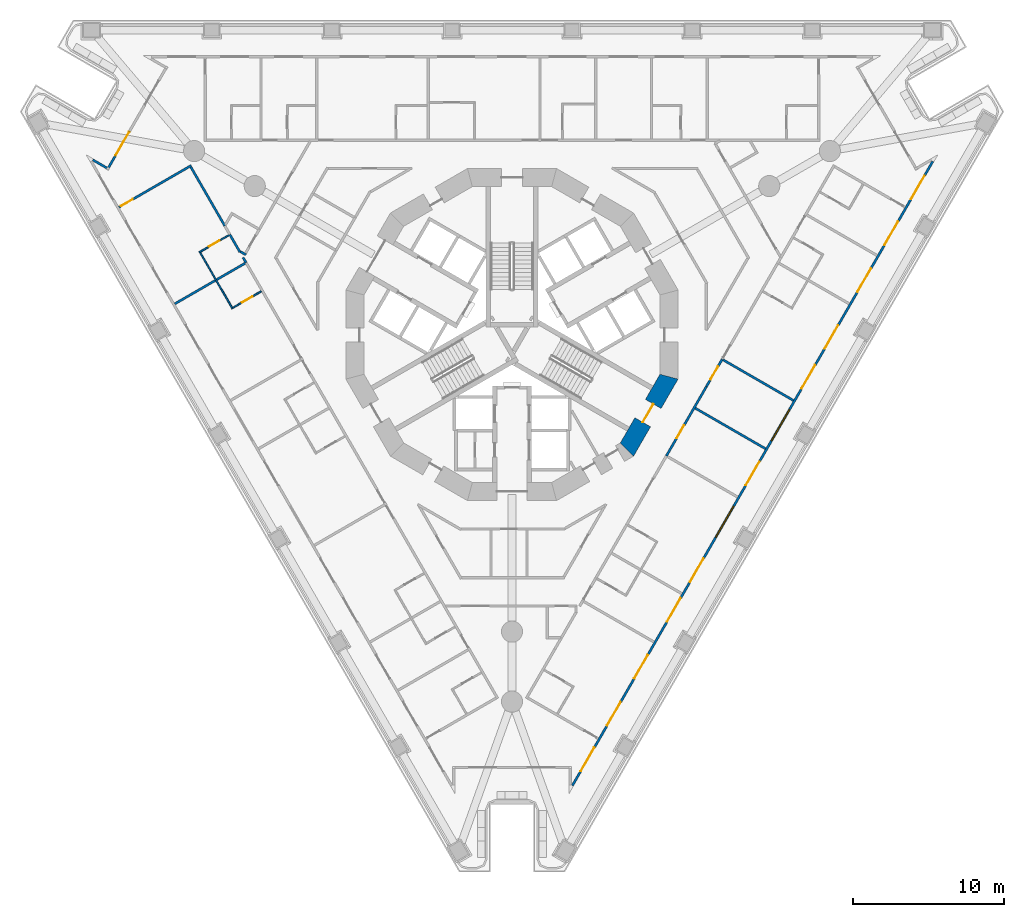
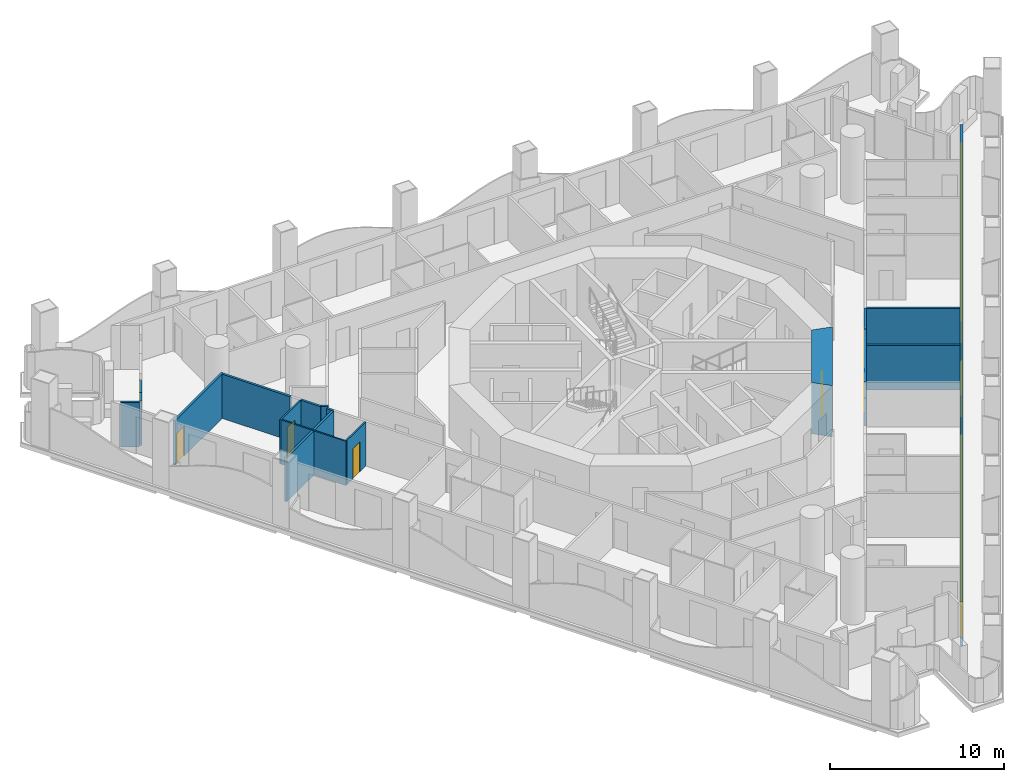
# One storey, part 5 of 19: 18 doors, 18 walls, 2 windows, 20 openings.
"""IFC4 building model written with IfcOpenShell, lengths in metres."""

from ifc_helpers import new_model, si_unit, direction, frame, frame_2d, origin, place, context, subcontext, project, spatial, polyline, rectangle, outline, extrude, material, layer, layer_set, type_object, element, fill, save


model = new_model("IFC4")

# Units and contexts
model_context = context("Model", 3, precision=1e-05, world=origin(), true_north=direction((0.0, 1.0)))
body_context = subcontext(model_context, "Body", "Model", "MODEL_VIEW")
ifc_project = project(units=[si_unit("LENGTHUNIT", "METRE"), si_unit("AREAUNIT", "SQUARE_METRE"), si_unit("VOLUMEUNIT", "CUBIC_METRE"), si_unit("PLANEANGLEUNIT", "RADIAN"), si_unit("MASSUNIT", "GRAM", prefix="KILO")], contexts=[model_context])

# Site, building, storey
site_placement = place(None, origin())
site = spatial("IfcSite", under=ifc_project, at=site_placement, CompositionType="ELEMENT")
building_placement = place(site_placement, origin())
building = spatial("IfcBuilding", under=site, at=building_placement, Name="Trine Commons Tower", CompositionType="ELEMENT")
storey_placement = place(building_placement, frame((0.0, 0.0, 42.300048828125)))
storey = spatial("IfcBuildingStorey", under=building, at=storey_placement, Name="L09", CompositionType="ELEMENT", Elevation=42.300048828125)

# Walls
ifc_material_1 = material(Name="Aluminium-framed insulated wall panel", Category="aluminium")
ifc_layer_1 = layer(ifc_material_1, 0.14990234375)
ifc_layer_set_1 = layer_set([ifc_layer_1], Name="Aluminium-framed insulated wall panel")
wall_type_1 = type_object("IfcWallType", Name="Glazed frame wall 150, EI 60", PredefinedType="SOLIDWALL", material=ifc_layer_set_1)
wall_1_placement = place(storey_placement, frame((52.074462890625, 74.159912109375, 0.0), z_axis=(0.0, 0.0, 1.0), x_axis=(0.865989100438, -0.500062873969, 0.0)))
element("IfcWall", 1, at=wall_1_placement, inside=storey, type_object=wall_type_1, Name="Glazed frame wall R1", PredefinedType="SOLIDWALL", context=body_context, shape_type="SweptSolid", body=[
    extrude(outline(polyline([(0.1494140625, 0.074951171875), (0.1494140625, -0.074951171875), (1.235107421875, -0.074951171875), (1.235107421875, 0.074951171875), (0.1494140625, 0.074951171875)])), origin(), (0.0, 0.0, 1.0), 3.099853515625),
])
wall_2_placement = place(storey_placement, frame((53.19140625, 73.474609375, 0.0), z_axis=(0.0, 0.0, 1.0), x_axis=(0.50002537861, 0.866010750942, 0.0)))
element("IfcWall", 2, at=wall_2_placement, inside=storey, type_object=wall_type_1, Name="Glazed frame wall P1.1", PredefinedType="SOLIDWALL", context=body_context, shape_type="SweptSolid", body=[
    extrude(outline(polyline([(0.110107421875, -0.074951171875), (1.0, -0.074951171875), (1.0, 0.074951171875), (0.110107421875, 0.074951171875), (0.110107421875, -0.074951171875)])), origin(), (0.0, 0.0, 1.0), 3.099853515625),
])

# Wall, opening, door
wall_3_placement = place(storey_placement, frame((53.69140625, 74.340576171875, 0.0), z_axis=(0.0, 0.0, 1.0), x_axis=(0.499967155389, 0.866044365799, 0.0)))
wall_3 = element("IfcWall", 3, at=wall_3_placement, inside=storey, type_object=wall_type_1, Name="Glazed frame wall P1.2", PredefinedType="SOLIDWALL", context=body_context, shape_type="SweptSolid", body=[
    extrude(outline(polyline([(0.0, -0.074951171875), (1.89990234375, -0.074951171875), (1.89990234375, 0.074951171875), (0.0, 0.074951171875), (0.0, -0.074951171875)])), origin(), (0.0, 0.0, 1.0), 2.64990234375),
])
opening_1_placement = place(wall_3_placement, frame((0.050048828125, 0.0, 0.0)))
opening_1 = element("IfcOpeningElement", 4, at=opening_1_placement, cuts=wall_3, Name="Opening BD-1P1-01", PredefinedType="OPENING", context=body_context, shape_type="SweptSolid", body=[
    extrude(rectangle(XDim=1.800048828125, YDim=2.60009765625, at=frame_2d((0.89990234375, 1.300048828125))), frame((0.0, 0.0849609375, 0.0), z_axis=(0.0, -1.0, 0.0), x_axis=(1.0, 0.0, 0.0)), (0.0, 0.0, 1.0), 0.169921875),
])
ifc_material_2 = material(Name="Anodised aluminium frame with double glazing", Category="aluminium")
door_type_1 = type_object("IfcDoorType", Name="Sliding loggia door 1800x2600", OperationType="SLIDING_TO_LEFT", PredefinedType="DOOR", material=ifc_material_2)
door_1_placement = place(opening_1_placement, origin())
door_1 = element("IfcDoor", 5, at=door_1_placement, inside=storey, type_object=door_type_1, Name="Loggia door P1 1", OperationType="SLIDING_TO_LEFT", OverallHeight=2.60009765625, OverallWidth=1.800048828125, PredefinedType="DOOR", context=body_context, shape_type="SweptSolid", body=[
    extrude(rectangle(XDim=1.800048828125, YDim=2.60009765625, at=frame_2d((0.89990234375, 1.300048828125))), frame((0.0, 0.02490234375, 0.0), z_axis=(0.0, -1.0, 0.0), x_axis=(1.0, 0.0, 0.0)), (0.0, 0.0, 1.0), 0.050048828125),
])
fill(opening_1, door_1)

# Wall, openings, windows, doors
wall_4_placement = place(storey_placement, frame((107.973388671875, 74.112060546875, 0.0), z_axis=(0.0, 0.0, 1.0), x_axis=(-0.499998600735, -0.866026211649, 0.0)))
wall_4 = element("IfcWall", 6, at=wall_4_placement, inside=storey, type_object=wall_type_1, Name="Glazed frame wall F2", PredefinedType="SOLIDWALL", context=body_context, shape_type="SweptSolid", body=[
    extrude(outline(polyline([(0.1494140625, 0.074951171875), (0.1494140625, -0.074951171875), (47.93701171875, -0.074951171875), (47.93701171875, 0.074951171875), (0.1494140625, 0.074951171875)])), origin(), (0.0, 0.0, 1.0), 3.099853515625),
])
opening_2_placement = place(wall_4_placement, frame((1.24951171875, 0.0, 0.0)))
opening_2 = element("IfcOpeningElement", 7, at=opening_2_placement, cuts=wall_4, Name="Opening BD-1F2-01", PredefinedType="OPENING", context=body_context, shape_type="SweptSolid", body=[
    extrude(rectangle(XDim=1.800048828125, YDim=2.60009765625, at=frame_2d((0.89990234375, 1.300048828125))), frame((0.0, 0.0849609375, 0.0), z_axis=(0.0, -1.0, 0.0), x_axis=(1.0, 0.0, 0.0)), (0.0, 0.0, 1.0), 0.169921875),
])
opening_3_placement = place(wall_4_placement, frame((4.748291015625, 0.0, 0.0)))
opening_3 = element("IfcOpeningElement", 8, at=opening_3_placement, cuts=wall_4, Name="Opening BD-1F2-02", PredefinedType="OPENING", context=body_context, shape_type="SweptSolid", body=[
    extrude(rectangle(XDim=1.800048828125, YDim=2.60009765625, at=frame_2d((0.89990234375, 1.300048828125))), frame((0.0, 0.0849609375, 0.0), z_axis=(0.0, -1.0, 0.0), x_axis=(1.0, 0.0, 0.0)), (0.0, 0.0, 1.0), 0.169921875),
])
opening_4_placement = place(wall_4_placement, frame((8.347412109375, 0.0, 0.0)))
opening_4 = element("IfcOpeningElement", 9, at=opening_4_placement, cuts=wall_4, Name="Opening BD-1F2-03", PredefinedType="OPENING", context=body_context, shape_type="SweptSolid", body=[
    extrude(rectangle(XDim=1.800048828125, YDim=2.60009765625, at=frame_2d((0.89990234375, 1.300048828125))), frame((0.0, 0.0849609375, 0.0), z_axis=(0.0, -1.0, 0.0), x_axis=(1.0, 0.0, 0.0)), (0.0, 0.0, 1.0), 0.169921875),
])
opening_5_placement = place(wall_4_placement, frame((12.69580078125, 0.0, 0.0)))
opening_5 = element("IfcOpeningElement", 10, at=opening_5_placement, cuts=wall_4, Name="Opening BD-1F2-04", PredefinedType="OPENING", context=body_context, shape_type="SweptSolid", body=[
    extrude(rectangle(XDim=1.800048828125, YDim=2.60009765625, at=frame_2d((0.89990234375, 1.300048828125))), frame((0.0, 0.0849609375, 0.0), z_axis=(0.0, -1.0, 0.0), x_axis=(1.0, 0.0, 0.0)), (0.0, 0.0, 1.0), 0.169921875),
])
opening_6_placement = place(wall_4_placement, frame((15.7451171875, 0.0, 0.0)))
opening_6 = element("IfcOpeningElement", 11, at=opening_6_placement, cuts=wall_4, Name="Opening BD-1F2-05", PredefinedType="OPENING", context=body_context, shape_type="SweptSolid", body=[
    extrude(rectangle(XDim=1.800048828125, YDim=2.60009765625, at=frame_2d((0.89990234375, 1.300048828125))), frame((0.0, 0.0849609375, 0.0), z_axis=(0.0, -1.0, 0.0), x_axis=(1.0, 0.0, 0.0)), (0.0, 0.0, 1.0), 0.169921875),
])
opening_7_placement = place(wall_4_placement, frame((19.14404296875, 0.0, 0.14990234375)))
opening_7 = element("IfcOpeningElement", 12, at=opening_7_placement, cuts=wall_4, Name="Opening W-1F2-06", PredefinedType="OPENING", context=body_context, shape_type="SweptSolid", body=[
    extrude(rectangle(XDim=2.39990234375, YDim=2.449951171875, at=frame_2d((1.199951171875, 1.22509765625))), frame((0.0, 0.0849609375, 0.0), z_axis=(0.0, -1.0, 0.0), x_axis=(1.0, 0.0, 0.0)), (0.0, 0.0, 1.0), 0.169921875),
])
opening_8_placement = place(wall_4_placement, frame((23.142822265625, 0.0, 0.0)))
opening_8 = element("IfcOpeningElement", 13, at=opening_8_placement, cuts=wall_4, Name="Opening BD-1F2-07", PredefinedType="OPENING", context=body_context, shape_type="SweptSolid", body=[
    extrude(rectangle(XDim=1.800048828125, YDim=2.60009765625, at=frame_2d((0.89990234375, 1.300048828125))), frame((0.0, 0.0849609375, 0.0), z_axis=(0.0, -1.0, 0.0), x_axis=(1.0, 0.0, 0.0)), (0.0, 0.0, 1.0), 0.169921875),
])
opening_9_placement = place(wall_4_placement, frame((26.541748046875, 0.0, 0.14990234375)))
opening_9 = element("IfcOpeningElement", 14, at=opening_9_placement, cuts=wall_4, Name="Opening W-1F2-08", PredefinedType="OPENING", context=body_context, shape_type="SweptSolid", body=[
    extrude(rectangle(XDim=2.39990234375, YDim=2.449951171875, at=frame_2d((1.199951171875, 1.22509765625))), frame((0.0, 0.0849609375, 0.0), z_axis=(0.0, -1.0, 0.0), x_axis=(1.0, 0.0, 0.0)), (0.0, 0.0, 1.0), 0.169921875),
])
opening_10_placement = place(wall_4_placement, frame((30.54052734375, 0.0, 0.0)))
opening_10 = element("IfcOpeningElement", 15, at=opening_10_placement, cuts=wall_4, Name="Opening BD-1F2-09", PredefinedType="OPENING", context=body_context, shape_type="SweptSolid", body=[
    extrude(rectangle(XDim=1.800048828125, YDim=2.60009765625, at=frame_2d((0.89990234375, 1.300048828125))), frame((0.0, 0.0849609375, 0.0), z_axis=(0.0, -1.0, 0.0), x_axis=(1.0, 0.0, 0.0)), (0.0, 0.0, 1.0), 0.169921875),
])
opening_11_placement = place(wall_4_placement, frame((33.590087890625, 0.0, 0.0)))
opening_11 = element("IfcOpeningElement", 16, at=opening_11_placement, cuts=wall_4, Name="Opening BD-1F2-10", PredefinedType="OPENING", context=body_context, shape_type="SweptSolid", body=[
    extrude(rectangle(XDim=1.800048828125, YDim=2.60009765625, at=frame_2d((0.89990234375, 1.300048828125))), frame((0.0, 0.0849609375, 0.0), z_axis=(0.0, -1.0, 0.0), x_axis=(1.0, 0.0, 0.0)), (0.0, 0.0, 1.0), 0.169921875),
])
opening_12_placement = place(wall_4_placement, frame((37.9384765625, 0.0, 0.0)))
opening_12 = element("IfcOpeningElement", 17, at=opening_12_placement, cuts=wall_4, Name="Opening BD-1F2-11", PredefinedType="OPENING", context=body_context, shape_type="SweptSolid", body=[
    extrude(rectangle(XDim=1.800048828125, YDim=2.60009765625, at=frame_2d((0.89990234375, 1.300048828125))), frame((0.0, 0.0849609375, 0.0), z_axis=(0.0, -1.0, 0.0), x_axis=(1.0, 0.0, 0.0)), (0.0, 0.0, 1.0), 0.169921875),
])
opening_13_placement = place(wall_4_placement, frame((41.537353515625, 0.0, 0.0)))
opening_13 = element("IfcOpeningElement", 18, at=opening_13_placement, cuts=wall_4, Name="Opening BD-1F2-12", PredefinedType="OPENING", context=body_context, shape_type="SweptSolid", body=[
    extrude(rectangle(XDim=1.800048828125, YDim=2.60009765625, at=frame_2d((0.89990234375, 1.300048828125))), frame((0.0, 0.0849609375, 0.0), z_axis=(0.0, -1.0, 0.0), x_axis=(1.0, 0.0, 0.0)), (0.0, 0.0, 1.0), 0.169921875),
])
opening_14_placement = place(wall_4_placement, frame((45.036376953125, 0.0, 0.0)))
opening_14 = element("IfcOpeningElement", 19, at=opening_14_placement, cuts=wall_4, Name="Opening BD-1F2-13", PredefinedType="OPENING", context=body_context, shape_type="SweptSolid", body=[
    extrude(rectangle(XDim=1.800048828125, YDim=2.60009765625, at=frame_2d((0.89990234375, 1.300048828125))), frame((0.0, 0.0849609375, 0.0), z_axis=(0.0, -1.0, 0.0), x_axis=(1.0, 0.0, 0.0)), (0.0, 0.0, 1.0), 0.169921875),
])
window_type = type_object("IfcWindowType", Name="Fixed window 2400x2450", PartitioningType="SINGLE_PANEL", PredefinedType="WINDOW", material=ifc_material_2)
window_1_placement = place(opening_7_placement, origin())
window_1 = element("IfcWindow", 20, at=window_1_placement, inside=storey, type_object=window_type, Name="Window F2 6", OverallHeight=2.449951171875, OverallWidth=2.39990234375, PartitioningType="SINGLE_PANEL", PredefinedType="WINDOW", context=body_context, shape_type="SweptSolid", body=[
    extrude(rectangle(XDim=2.39990234375, YDim=2.449951171875, at=frame_2d((1.199951171875, 1.22509765625))), frame((0.0, 0.030029296875, 0.0), z_axis=(0.0, -1.0, 0.0), x_axis=(1.0, 0.0, 0.0)), (0.0, 0.0, 1.0), 0.06005859375),
])
fill(opening_7, window_1)
window_2_placement = place(opening_9_placement, origin())
window_2 = element("IfcWindow", 21, at=window_2_placement, inside=storey, type_object=window_type, Name="Window F2 8", OverallHeight=2.449951171875, OverallWidth=2.39990234375, PartitioningType="SINGLE_PANEL", PredefinedType="WINDOW", context=body_context, shape_type="SweptSolid", body=[
    extrude(rectangle(XDim=2.39990234375, YDim=2.449951171875, at=frame_2d((1.199951171875, 1.22509765625))), frame((0.0, 0.030029296875, 0.0), z_axis=(0.0, -1.0, 0.0), x_axis=(1.0, 0.0, 0.0)), (0.0, 0.0, 1.0), 0.06005859375),
])
fill(opening_9, window_2)
door_2_placement = place(opening_2_placement, origin())
door_2 = element("IfcDoor", 22, at=door_2_placement, inside=storey, type_object=door_type_1, Name="Loggia door F2 1", OperationType="SLIDING_TO_LEFT", OverallHeight=2.60009765625, OverallWidth=1.800048828125, PredefinedType="DOOR", context=body_context, shape_type="SweptSolid", body=[
    extrude(rectangle(XDim=1.800048828125, YDim=2.60009765625, at=frame_2d((0.89990234375, 1.300048828125))), frame((0.0, 0.02490234375, 0.0), z_axis=(0.0, -1.0, 0.0), x_axis=(1.0, 0.0, 0.0)), (0.0, 0.0, 1.0), 0.050048828125),
])
fill(opening_2, door_2)
door_3_placement = place(opening_3_placement, origin())
door_3 = element("IfcDoor", 23, at=door_3_placement, inside=storey, type_object=door_type_1, Name="Loggia door F2 2", OperationType="SLIDING_TO_LEFT", OverallHeight=2.60009765625, OverallWidth=1.800048828125, PredefinedType="DOOR", context=body_context, shape_type="SweptSolid", body=[
    extrude(rectangle(XDim=1.800048828125, YDim=2.60009765625, at=frame_2d((0.89990234375, 1.300048828125))), frame((0.0, 0.02490234375, 0.0), z_axis=(0.0, -1.0, 0.0), x_axis=(1.0, 0.0, 0.0)), (0.0, 0.0, 1.0), 0.050048828125),
])
fill(opening_3, door_3)
door_4_placement = place(opening_4_placement, origin())
door_4 = element("IfcDoor", 24, at=door_4_placement, inside=storey, type_object=door_type_1, Name="Loggia door F2 3", OperationType="SLIDING_TO_LEFT", OverallHeight=2.60009765625, OverallWidth=1.800048828125, PredefinedType="DOOR", context=body_context, shape_type="SweptSolid", body=[
    extrude(rectangle(XDim=1.800048828125, YDim=2.60009765625, at=frame_2d((0.89990234375, 1.300048828125))), frame((0.0, 0.02490234375, 0.0), z_axis=(0.0, -1.0, 0.0), x_axis=(1.0, 0.0, 0.0)), (0.0, 0.0, 1.0), 0.050048828125),
])
fill(opening_4, door_4)
door_5_placement = place(opening_5_placement, origin())
door_5 = element("IfcDoor", 25, at=door_5_placement, inside=storey, type_object=door_type_1, Name="Loggia door F2 4", OperationType="SLIDING_TO_LEFT", OverallHeight=2.60009765625, OverallWidth=1.800048828125, PredefinedType="DOOR", context=body_context, shape_type="SweptSolid", body=[
    extrude(rectangle(XDim=1.800048828125, YDim=2.60009765625, at=frame_2d((0.89990234375, 1.300048828125))), frame((0.0, 0.02490234375, 0.0), z_axis=(0.0, -1.0, 0.0), x_axis=(1.0, 0.0, 0.0)), (0.0, 0.0, 1.0), 0.050048828125),
])
fill(opening_5, door_5)
door_6_placement = place(opening_6_placement, origin())
door_6 = element("IfcDoor", 26, at=door_6_placement, inside=storey, type_object=door_type_1, Name="Loggia door F2 5", OperationType="SLIDING_TO_LEFT", OverallHeight=2.60009765625, OverallWidth=1.800048828125, PredefinedType="DOOR", context=body_context, shape_type="SweptSolid", body=[
    extrude(rectangle(XDim=1.800048828125, YDim=2.60009765625, at=frame_2d((0.89990234375, 1.300048828125))), frame((0.0, 0.02490234375, 0.0), z_axis=(0.0, -1.0, 0.0), x_axis=(1.0, 0.0, 0.0)), (0.0, 0.0, 1.0), 0.050048828125),
])
fill(opening_6, door_6)
door_7_placement = place(opening_8_placement, origin())
door_7 = element("IfcDoor", 27, at=door_7_placement, inside=storey, type_object=door_type_1, Name="Loggia door F2 7", OperationType="SLIDING_TO_LEFT", OverallHeight=2.60009765625, OverallWidth=1.800048828125, PredefinedType="DOOR", context=body_context, shape_type="SweptSolid", body=[
    extrude(rectangle(XDim=1.800048828125, YDim=2.60009765625, at=frame_2d((0.89990234375, 1.300048828125))), frame((0.0, 0.02490234375, 0.0), z_axis=(0.0, -1.0, 0.0), x_axis=(1.0, 0.0, 0.0)), (0.0, 0.0, 1.0), 0.050048828125),
])
fill(opening_8, door_7)
door_8_placement = place(opening_10_placement, origin())
door_8 = element("IfcDoor", 28, at=door_8_placement, inside=storey, type_object=door_type_1, Name="Loggia door F2 9", OperationType="SLIDING_TO_LEFT", OverallHeight=2.60009765625, OverallWidth=1.800048828125, PredefinedType="DOOR", context=body_context, shape_type="SweptSolid", body=[
    extrude(rectangle(XDim=1.800048828125, YDim=2.60009765625, at=frame_2d((0.89990234375, 1.300048828125))), frame((0.0, 0.02490234375, 0.0), z_axis=(0.0, -1.0, 0.0), x_axis=(1.0, 0.0, 0.0)), (0.0, 0.0, 1.0), 0.050048828125),
])
fill(opening_10, door_8)
door_9_placement = place(opening_11_placement, origin())
door_9 = element("IfcDoor", 29, at=door_9_placement, inside=storey, type_object=door_type_1, Name="Loggia door F2 10", OperationType="SLIDING_TO_LEFT", OverallHeight=2.60009765625, OverallWidth=1.800048828125, PredefinedType="DOOR", context=body_context, shape_type="SweptSolid", body=[
    extrude(rectangle(XDim=1.800048828125, YDim=2.60009765625, at=frame_2d((0.89990234375, 1.300048828125))), frame((0.0, 0.02490234375, 0.0), z_axis=(0.0, -1.0, 0.0), x_axis=(1.0, 0.0, 0.0)), (0.0, 0.0, 1.0), 0.050048828125),
])
fill(opening_11, door_9)
door_10_placement = place(opening_12_placement, origin())
door_10 = element("IfcDoor", 30, at=door_10_placement, inside=storey, type_object=door_type_1, Name="Loggia door F2 11", OperationType="SLIDING_TO_LEFT", OverallHeight=2.60009765625, OverallWidth=1.800048828125, PredefinedType="DOOR", context=body_context, shape_type="SweptSolid", body=[
    extrude(rectangle(XDim=1.800048828125, YDim=2.60009765625, at=frame_2d((0.89990234375, 1.300048828125))), frame((0.0, 0.02490234375, 0.0), z_axis=(0.0, -1.0, 0.0), x_axis=(1.0, 0.0, 0.0)), (0.0, 0.0, 1.0), 0.050048828125),
])
fill(opening_12, door_10)
door_11_placement = place(opening_13_placement, origin())
door_11 = element("IfcDoor", 31, at=door_11_placement, inside=storey, type_object=door_type_1, Name="Loggia door F2 12", OperationType="SLIDING_TO_LEFT", OverallHeight=2.60009765625, OverallWidth=1.800048828125, PredefinedType="DOOR", context=body_context, shape_type="SweptSolid", body=[
    extrude(rectangle(XDim=1.800048828125, YDim=2.60009765625, at=frame_2d((0.89990234375, 1.300048828125))), frame((0.0, 0.02490234375, 0.0), z_axis=(0.0, -1.0, 0.0), x_axis=(1.0, 0.0, 0.0)), (0.0, 0.0, 1.0), 0.050048828125),
])
fill(opening_13, door_11)
door_12_placement = place(opening_14_placement, origin())
door_12 = element("IfcDoor", 32, at=door_12_placement, inside=storey, type_object=door_type_1, Name="Loggia door F2 13", OperationType="SLIDING_TO_LEFT", OverallHeight=2.60009765625, OverallWidth=1.800048828125, PredefinedType="DOOR", context=body_context, shape_type="SweptSolid", body=[
    extrude(rectangle(XDim=1.800048828125, YDim=2.60009765625, at=frame_2d((0.89990234375, 1.300048828125))), frame((0.0, 0.02490234375, 0.0), z_axis=(0.0, -1.0, 0.0), x_axis=(1.0, 0.0, 0.0)), (0.0, 0.0, 1.0), 0.050048828125),
])
fill(opening_14, door_12)

# Wall, opening, door
ifc_material_3 = material(Name="Concrete C80/95", Category="concrete")
ifc_layer_2 = layer(ifc_material_3, 1.199951171875)
ifc_layer_set_2 = layer_set([ifc_layer_2], Name="Concrete C80/95")
wall_type_2 = type_object("IfcWallType", Name="RC shear wall 1200 mm, C80/95", PredefinedType="SHEAR", material=ifc_layer_set_2)
wall_5_placement = place(storey_placement, frame((87.54150390625, 54.739013671875, 0.0), z_axis=(0.0, 0.0, 1.0), x_axis=(0.499979111662, 0.866037463336, 0.0)))
wall_5 = element("IfcWall", 33, at=wall_5_placement, inside=storey, type_object=wall_type_2, Name="Core wall CWA-12 L09", PredefinedType="SHEAR", context=body_context, shape_type="SweptSolid", body=[
    extrude(outline(polyline([(0.0, -0.60009765625), (5.901123046875, -0.60009765625), (5.57958984375, 0.60009765625), (0.321533203125, 0.60009765625), (0.0, -0.60009765625)])), origin(), (0.0, 0.0, 1.0), 3.599853515625),
])
opening_15_placement = place(wall_5_placement, frame((2.25048828125, 0.0, 0.0)))
opening_15 = element("IfcOpeningElement", 34, at=opening_15_placement, cuts=wall_5, Name="Opening K04.03", PredefinedType="OPENING", context=body_context, shape_type="SweptSolid", body=[
    extrude(rectangle(XDim=1.39990234375, YDim=2.10009765625, at=frame_2d((0.699951171875, 1.050048828125))), frame((0.0, 0.60986328125, 0.0), z_axis=(0.0, -1.0, 0.0), x_axis=(1.0, 0.0, 0.0)), (0.0, 0.0, 1.0), 1.219970703125),
])
ifc_material_4 = material(Name="Steel door leaves, fire-rated", Category="steel")
door_type_2 = type_object("IfcDoorType", Name="Stair door, double leaf 1400 x 2100, FD90", OperationType="DOUBLE_DOOR_SINGLE_SWING", PredefinedType="DOOR", material=ifc_material_4)
door_13_placement = place(opening_15_placement, origin())
door_13 = element("IfcDoor", 35, at=door_13_placement, inside=storey, type_object=door_type_2, Name="Stair door to Exit stair ST3A L09", OperationType="DOUBLE_DOOR_SINGLE_SWING", OverallHeight=2.10009765625, OverallWidth=1.39990234375, PredefinedType="DOOR", context=body_context, shape_type="SweptSolid", body=[
    extrude(rectangle(XDim=1.39990234375, YDim=2.10009765625, at=frame_2d((0.699951171875, 1.050048828125))), frame((0.0, 0.02490234375, 0.0), z_axis=(0.0, -1.0, 0.0), x_axis=(1.0, 0.0, 0.0)), (0.0, 0.0, 1.0), 0.050048828125),
])
fill(opening_15, door_13)

ifc_material_5 = material(Name="Gypsum plasterboard on steel stud", Category="steel")
ifc_layer_3 = layer(ifc_material_5, 0.14990234375)
ifc_layer_set_3 = layer_set([ifc_layer_3], Name="Gypsum plasterboard on steel stud")
wall_type_3 = type_object("IfcWallType", Name="Unit and corridor wall 150 mm, EI 60", PredefinedType="PARTITIONING", material=ifc_layer_set_3)
wall_6_placement = place(storey_placement, frame((53.941650390625, 70.946044921875, 0.0), z_axis=(0.0, 0.0, 1.0), x_axis=(0.866015831111, 0.500016579991, 0.0)))
wall_6 = element("IfcWall", 36, at=wall_6_placement, inside=storey, type_object=wall_type_3, Name="Partition 001", PredefinedType="PARTITIONING", context=body_context, shape_type="SweptSolid", body=[
    extrude(rectangle(XDim=5.532470703125, YDim=0.14990234375, at=frame_2d((2.76611328125, 0.0))), origin(), (0.0, 0.0, 1.0), 3.099853515625),
])
opening_16_placement = place(wall_6_placement, frame((0.14990234375, 0.0, 0.0)))
opening_16 = element("IfcOpeningElement", 37, at=opening_16_placement, cuts=wall_6, Name="Opening D-1B29", PredefinedType="OPENING", context=body_context, shape_type="SweptSolid", body=[
    extrude(rectangle(XDim=0.89990234375, YDim=2.10009765625, at=frame_2d((0.449951171875, 1.050048828125))), frame((0.0, 0.0849609375, 0.0), z_axis=(0.0, -1.0, 0.0), x_axis=(1.0, 0.0, 0.0)), (0.0, 0.0, 1.0), 0.169921875),
])
ifc_material_6 = material(Name="Timber fire door set", Category="wood")
door_type_3 = type_object("IfcDoorType", Name="Bedroom door 900 x 2100, FD30S", OperationType="NOTDEFINED", PredefinedType="DOOR", material=ifc_material_6)
door_14_placement = place(opening_16_placement, frame((0.89990234375, 0.0, 0.0), z_axis=(0.0, 0.0, 1.0), x_axis=(-1.0, 0.0, 0.0)))
door_14 = element("IfcDoor", 38, at=door_14_placement, inside=storey, type_object=door_type_3, Name="Door D-1B29", OperationType="SINGLE_SWING_RIGHT", OverallHeight=2.10009765625, OverallWidth=0.89990234375, PredefinedType="DOOR", context=body_context, shape_type="SweptSolid", body=[
    extrude(rectangle(XDim=0.89990234375, YDim=2.10009765625, at=frame_2d((0.449951171875, 1.050048828125))), frame((0.0, 0.02490234375, 0.0), z_axis=(0.0, -1.0, 0.0), x_axis=(1.0, 0.0, 0.0)), (0.0, 0.0, 1.0), 0.050048828125),
])
fill(opening_16, door_14)

# Walls
wall_7_placement = place(storey_placement, frame((57.640625, 64.5390625, 0.0), z_axis=(0.0, 0.0, 1.0), x_axis=(0.866012611495, 0.500022156241, 0.0)))
element("IfcWall", 39, at=wall_7_placement, inside=storey, type_object=wall_type_3, Name="Partition 002", PredefinedType="PARTITIONING", context=body_context, shape_type="SweptSolid", body=[
    extrude(rectangle(XDim=5.382568359375, YDim=0.14990234375, at=frame_2d((2.69140625, 0.0))), origin(), (0.0, 0.0, 1.0), 3.099853515625),
])
wall_8_placement = place(storey_placement, frame((58.70556640625, 73.610107421875, 0.0), z_axis=(0.0, 0.0, 1.0), x_axis=(0.49978972914, -0.866146769691, 0.0)))
element("IfcWall", 40, at=wall_8_placement, inside=storey, type_object=wall_type_3, Name="Partition 003", PredefinedType="PARTITIONING", context=body_context, shape_type="SweptSolid", body=[
    extrude(rectangle(XDim=4.5029296875, YDim=0.14990234375, at=frame_2d((2.25146484375, 0.0))), origin(), (0.0, 0.0, 1.0), 3.099853515625),
])
wall_9_placement = place(storey_placement, frame((61.2900390625, 69.133056640625, 0.0), z_axis=(0.0, 0.0, 1.0), x_axis=(0.500118880353, -0.8659567573, 0.0)))
element("IfcWall", 41, at=wall_9_placement, inside=storey, type_object=wall_type_3, Name="Partition 010", PredefinedType="PARTITIONING", context=body_context, shape_type="SweptSolid", body=[
    extrude(rectangle(XDim=1.332763671875, YDim=0.14990234375, at=frame_2d((0.66650390625, 0.0))), origin(), (0.0, 0.0, 1.0), 3.099853515625),
])
wall_10_placement = place(storey_placement, frame((61.98388671875, 68.006591796875, 0.0), z_axis=(0.0, 0.0, 1.0), x_axis=(0.866467188461, -0.499234024602, 0.0)))
element("IfcWall", 42, at=wall_10_placement, inside=storey, type_object=wall_type_3, Name="Partition 016", PredefinedType="PARTITIONING", context=body_context, shape_type="SweptSolid", body=[
    extrude(rectangle(XDim=0.432861328125, YDim=0.14990234375, at=frame_2d((0.21630859375, 0.0))), origin(), (0.0, 0.0, 1.0), 3.099853515625),
])
wall_11_placement = place(storey_placement, frame((62.1689453125, 67.611083984375, 0.0), z_axis=(0.0, 0.0, 1.0), x_axis=(0.500603037456, -0.865676959893, 0.0)))
element("IfcWall", 43, at=wall_11_placement, inside=storey, type_object=wall_type_3, Name="Partition 017", PredefinedType="PARTITIONING", context=body_context, shape_type="SweptSolid", body=[
    extrude(rectangle(XDim=0.39990234375, YDim=0.14990234375, at=frame_2d((0.199951171875, 0.0))), origin(), (0.0, 0.0, 1.0), 3.099853515625),
])

# Wall, opening, door
wall_12_placement = place(storey_placement, frame((90.23388671875, 54.451904296875, 0.0), z_axis=(0.0, 0.0, 1.0), x_axis=(0.500003907497, 0.866023147778, 0.0)))
wall_12 = element("IfcWall", 44, at=wall_12_placement, inside=storey, type_object=wall_type_3, Name="Partition 095", PredefinedType="PARTITIONING", context=body_context, shape_type="SweptSolid", body=[
    extrude(rectangle(XDim=5.30615234375, YDim=0.14990234375, at=frame_2d((2.653076171875, 0.0))), origin(), (0.0, 0.0, 1.0), 3.099853515625),
])
opening_17_placement = place(wall_12_placement, frame((1.353271484375, 0.0, 0.0)))
opening_17 = element("IfcOpeningElement", 45, at=opening_17_placement, cuts=wall_12, Name="Opening D-1B19", PredefinedType="OPENING", context=body_context, shape_type="SweptSolid", body=[
    extrude(rectangle(XDim=1.0, YDim=2.10009765625, at=frame_2d((0.5, 1.050048828125))), frame((0.0, 0.0849609375, 0.0), z_axis=(0.0, -1.0, 0.0), x_axis=(1.0, 0.0, 0.0)), (0.0, 0.0, 1.0), 0.169921875),
])
ifc_material_7 = material(Name="Painted timber", Category="wood")
door_type_4 = type_object("IfcDoorType", Name="Amenity room door 1000 x 2100, NOT RATED", OperationType="NOTDEFINED", PredefinedType="DOOR", material=ifc_material_7)
door_15_placement = place(opening_17_placement, frame((1.0, 0.0, 0.0), z_axis=(0.0, 0.0, 1.0), x_axis=(-1.0, 0.0, 0.0)))
door_15 = element("IfcDoor", 46, at=door_15_placement, inside=storey, type_object=door_type_4, Name="Door D-1B19", OperationType="SINGLE_SWING_RIGHT", OverallHeight=2.10009765625, OverallWidth=1.0, PredefinedType="DOOR", context=body_context, shape_type="SweptSolid", body=[
    extrude(rectangle(XDim=1.0, YDim=2.10009765625, at=frame_2d((0.5, 1.050048828125))), frame((0.0, 0.02490234375, 0.0), z_axis=(0.0, -1.0, 0.0), x_axis=(1.0, 0.0, 0.0)), (0.0, 0.0, 1.0), 0.050048828125),
])
fill(opening_17, door_15)

# Wall
wall_13_placement = place(storey_placement, frame((92.14990234375, 57.62158203125, 0.0), z_axis=(0.0, 0.0, 1.0), x_axis=(0.865992970276, -0.500056172277, 0.0)))
element("IfcWall", 47, at=wall_13_placement, inside=storey, type_object=wall_type_3, Name="Partition 098", PredefinedType="PARTITIONING", context=body_context, shape_type="SweptSolid", body=[
    extrude(rectangle(XDim=5.3828125, YDim=0.14990234375, at=frame_2d((2.69140625, 0.0))), origin(), (0.0, 0.0, 1.0), 3.099853515625),
])

# Wall, opening, door
wall_14_placement = place(storey_placement, frame((92.886962890625, 59.047119140625, 0.0), z_axis=(0.0, 0.0, 1.0), x_axis=(0.499829862285, 0.866123610559, 0.0)))
wall_14 = element("IfcWall", 48, at=wall_14_placement, inside=storey, type_object=wall_type_3, Name="Partition 100", PredefinedType="PARTITIONING", context=body_context, shape_type="SweptSolid", body=[
    extrude(rectangle(XDim=2.098876953125, YDim=0.14990234375, at=frame_2d((1.04931640625, 0.0))), origin(), (0.0, 0.0, 1.0), 3.099853515625),
])
opening_18_placement = place(wall_14_placement, frame((0.547607421875, 0.0, 0.0)))
opening_18 = element("IfcOpeningElement", 49, at=opening_18_placement, cuts=wall_14, Name="Opening D-1B18", PredefinedType="OPENING", context=body_context, shape_type="SweptSolid", body=[
    extrude(rectangle(XDim=1.0, YDim=2.10009765625, at=frame_2d((0.5, 1.050048828125))), frame((0.0, 0.0849609375, 0.0), z_axis=(0.0, -1.0, 0.0), x_axis=(1.0, 0.0, 0.0)), (0.0, 0.0, 1.0), 0.169921875),
])
door_type_5 = type_object("IfcDoorType", Name="Toilet door 1000 x 2100, NOT RATED", OperationType="NOTDEFINED", PredefinedType="DOOR", material=ifc_material_7)
door_16_placement = place(opening_18_placement, frame((1.0, 0.0, 0.0), z_axis=(0.0, 0.0, 1.0), x_axis=(-1.0, 0.0, 0.0)))
door_16 = element("IfcDoor", 50, at=door_16_placement, inside=storey, type_object=door_type_5, Name="Door D-1B18", OperationType="SINGLE_SWING_RIGHT", OverallHeight=2.10009765625, OverallWidth=1.0, PredefinedType="DOOR", context=body_context, shape_type="SweptSolid", body=[
    extrude(rectangle(XDim=1.0, YDim=2.10009765625, at=frame_2d((0.5, 1.050048828125))), frame((0.0, 0.02490234375, 0.0), z_axis=(0.0, -1.0, 0.0), x_axis=(1.0, 0.0, 0.0)), (0.0, 0.0, 1.0), 0.050048828125),
])
fill(opening_18, door_16)

# Wall
wall_15_placement = place(storey_placement, frame((93.9990234375, 60.824462890625, 0.0), z_axis=(0.0, 0.0, 1.0), x_axis=(0.866057962423, -0.499943602543, 0.0)))
element("IfcWall", 51, at=wall_15_placement, inside=storey, type_object=wall_type_3, Name="Partition 107", PredefinedType="PARTITIONING", context=body_context, shape_type="SweptSolid", body=[
    extrude(rectangle(XDim=5.38330078125, YDim=0.14990234375, at=frame_2d((2.691650390625, 0.0))), origin(), (0.0, 0.0, 1.0), 3.099853515625),
])

# Wall, opening, door
ifc_layer_4 = layer(ifc_material_5, 0.10009765625)
ifc_layer_set_4 = layer_set([ifc_layer_4], Name="Gypsum plasterboard on steel stud")
wall_type_4 = type_object("IfcWallType", Name="Unit partition 100 mm, no rating", PredefinedType="PARTITIONING", material=ifc_layer_set_4)
wall_16_placement = place(storey_placement, frame((59.256591796875, 67.955078125, 0.0), z_axis=(0.0, 0.0, 1.0), x_axis=(0.866062295389, 0.499936096422, 0.0)))
wall_16 = element("IfcWall", 52, at=wall_16_placement, inside=storey, type_object=wall_type_4, Name="Partition 004", PredefinedType="PARTITIONING", context=body_context, shape_type="SweptSolid", body=[
    extrude(rectangle(XDim=2.275146484375, YDim=0.10009765625, at=frame_2d((1.1376953125, 0.0))), origin(), (0.0, 0.0, 1.0), 3.099853515625),
])
opening_19_placement = place(wall_16_placement, frame((0.7626953125, 0.0, 0.0)))
opening_19 = element("IfcOpeningElement", 53, at=opening_19_placement, cuts=wall_16, Name="Opening D-1B56", PredefinedType="OPENING", context=body_context, shape_type="SweptSolid", body=[
    extrude(rectangle(XDim=0.800048828125, YDim=2.10009765625, at=frame_2d((0.39990234375, 1.050048828125))), frame((0.0, 0.06005859375, 0.0), z_axis=(0.0, -1.0, 0.0), x_axis=(1.0, 0.0, 0.0)), (0.0, 0.0, 1.0), 0.1201171875),
])
door_type_6 = type_object("IfcDoorType", Name="Internal door 800 x 2100, NOT RATED", OperationType="NOTDEFINED", PredefinedType="DOOR", material=ifc_material_7)
door_17_placement = place(opening_19_placement, origin())
door_17 = element("IfcDoor", 54, at=door_17_placement, inside=storey, type_object=door_type_6, Name="Door D-1B56", OperationType="SINGLE_SWING_RIGHT", OverallHeight=2.10009765625, OverallWidth=0.800048828125, PredefinedType="DOOR", context=body_context, shape_type="SweptSolid", body=[
    extrude(rectangle(XDim=0.800048828125, YDim=2.10009765625, at=frame_2d((0.39990234375, 1.050048828125))), frame((0.0, 0.02490234375, 0.0), z_axis=(0.0, -1.0, 0.0), x_axis=(1.0, 0.0, 0.0)), (0.0, 0.0, 1.0), 0.050048828125),
])
fill(opening_19, door_17)

# Wall
wall_17_placement = place(storey_placement, frame((59.324951171875, 67.936767578125, 0.0), z_axis=(0.0, 0.0, 1.0), x_axis=(0.500004215162, -0.866022970146, 0.0)))
element("IfcWall", 55, at=wall_17_placement, inside=storey, type_object=wall_type_4, Name="Partition 005", PredefinedType="PARTITIONING", context=body_context, shape_type="SweptSolid", body=[
    extrude(rectangle(XDim=4.30029296875, YDim=0.10009765625, at=frame_2d((2.150146484375, 0.0))), origin(), (0.0, 0.0, 1.0), 3.099853515625),
])

# Wall, opening, door
wall_18_placement = place(storey_placement, frame((61.493408203125, 64.281005859375, 0.0), z_axis=(0.0, 0.0, 1.0), x_axis=(0.866037911478, 0.499978335414, 0.0)))
wall_18 = element("IfcWall", 56, at=wall_18_placement, inside=storey, type_object=wall_type_4, Name="Partition 015", PredefinedType="PARTITIONING", context=body_context, shape_type="SweptSolid", body=[
    extrude(rectangle(XDim=2.1748046875, YDim=0.10009765625, at=frame_2d((1.08740234375, 0.0))), origin(), (0.0, 0.0, 1.0), 3.099853515625),
])
opening_20_placement = place(wall_18_placement, frame((0.6875, 0.0, 0.0)))
opening_20 = element("IfcOpeningElement", 57, at=opening_20_placement, cuts=wall_18, Name="Opening D-1B55", PredefinedType="OPENING", context=body_context, shape_type="SweptSolid", body=[
    extrude(rectangle(XDim=0.800048828125, YDim=2.10009765625, at=frame_2d((0.39990234375, 1.050048828125))), frame((0.0, 0.06005859375, 0.0), z_axis=(0.0, -1.0, 0.0), x_axis=(1.0, 0.0, 0.0)), (0.0, 0.0, 1.0), 0.1201171875),
])
door_18_placement = place(opening_20_placement, frame((0.800048828125, 0.0, 0.0), z_axis=(0.0, 0.0, 1.0), x_axis=(-1.0, 0.0, 0.0)))
door_18 = element("IfcDoor", 58, at=door_18_placement, inside=storey, type_object=door_type_6, Name="Door D-1B55", OperationType="SINGLE_SWING_LEFT", OverallHeight=2.10009765625, OverallWidth=0.800048828125, PredefinedType="DOOR", context=body_context, shape_type="SweptSolid", body=[
    extrude(rectangle(XDim=0.800048828125, YDim=2.10009765625, at=frame_2d((0.39990234375, 1.050048828125))), frame((0.0, 0.02490234375, 0.0), z_axis=(0.0, -1.0, 0.0), x_axis=(1.0, 0.0, 0.0)), (0.0, 0.0, 1.0), 0.050048828125),
])
fill(opening_20, door_18)

save(model, "model.ifc")
